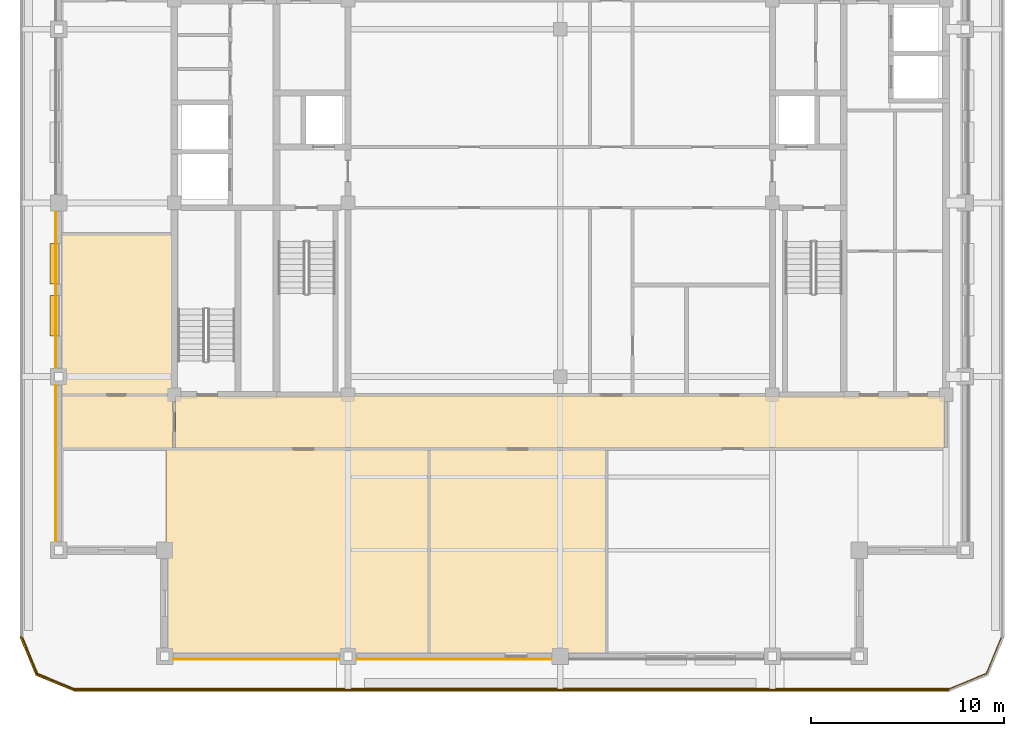
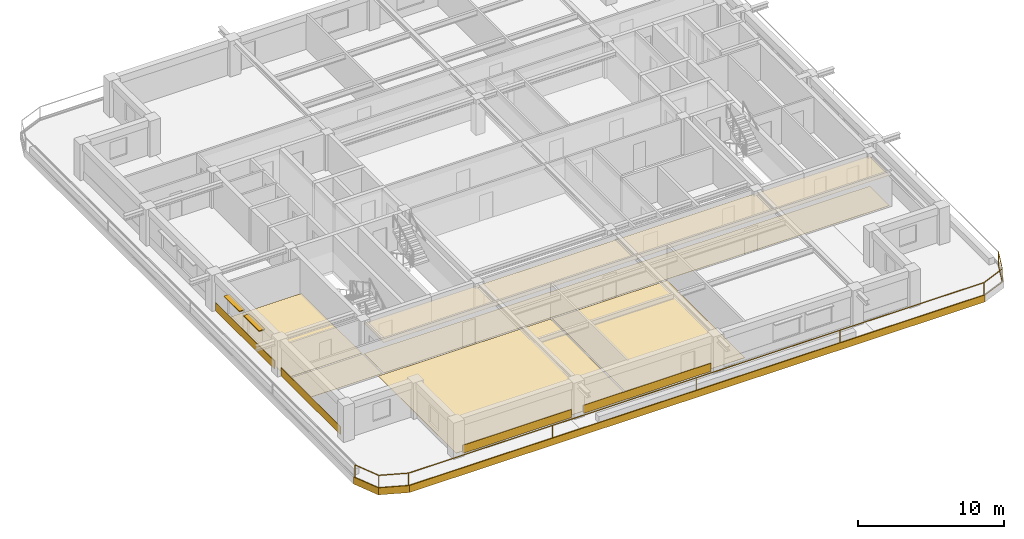
# One storey, part 7 of 11: 13 coverings, 2 shading devices, 1 railing.
"""IFC4 building model written with IfcOpenShell, lengths in metres."""

from ifc_helpers import new_model, si_unit, direction, frame, frame_2d, origin, origin_2d, place, context, subcontext, project, spatial, polyline, rectangle, outline, extrude, material, layer, layer_set, type_object, element, save


model = new_model("IFC4")

# Units and contexts
model_context = context("Model", 3, precision=1e-05, world=origin(), true_north=direction((0.0, 1.0)))
body_context = subcontext(model_context, "Body", "Model", "MODEL_VIEW")
ifc_project = project(units=[si_unit("LENGTHUNIT", "METRE"), si_unit("AREAUNIT", "SQUARE_METRE"), si_unit("VOLUMEUNIT", "CUBIC_METRE"), si_unit("PLANEANGLEUNIT", "RADIAN"), si_unit("MASSUNIT", "GRAM", prefix="KILO")], contexts=[model_context])

# Site, building, storey
site_placement = place(None, origin())
site = spatial("IfcSite", under=ifc_project, at=site_placement, CompositionType="ELEMENT")
building_placement = place(site_placement, origin())
building = spatial("IfcBuilding", under=site, at=building_placement, Name="Zulmaris Gate Convention Tower", CompositionType="ELEMENT")
storey_placement = place(building_placement, frame((0.0, 0.0, 257.659912109375)))
storey = spatial("IfcBuildingStorey", under=building, at=storey_placement, Name="L68", CompositionType="ELEMENT", Elevation=257.659912109375)

# Coverings
ifc_material_1 = material(Name="Precast concrete C40/50", Category="concrete")
ifc_layer_1 = layer(ifc_material_1, 0.0400390625, Name="Precast concrete C40/50")
ifc_layer_set_1 = layer_set([ifc_layer_1], Name="Precast concrete C40/50")
covering_type_1 = type_object("IfcCoveringType", Name="CLAD-SPANDREL-PRECAST", PredefinedType="CLADDING", material=ifc_layer_set_1)
covering_1_placement = place(storey_placement, frame((-20.044921875, -23.64990234375, 0.0), z_axis=(0.0, 0.0, 1.0), x_axis=(1.0, 0.0, 0.0)))
element("IfcCovering", 1, at=covering_1_placement, inside=storey, type_object=covering_type_1, Name="CLD-L68-S-0_0", PredefinedType="CLADDING", context=body_context, shape_type="SweptSolid", body=[
    extrude(rectangle(XDim=8.58984375, YDim=0.0400390625, at=frame_2d((4.294921875, 0.0))), origin(), (0.0, 0.0, 1.0), 0.679931640625),
])
covering_2_placement = place(storey_placement, frame((-10.544921875, -23.64990234375, 0.0), z_axis=(0.0, 0.0, 1.0), x_axis=(1.0, 0.0, 0.0)))
element("IfcCovering", 2, at=covering_2_placement, inside=storey, type_object=covering_type_1, Name="CLD-L68-S-1_0", PredefinedType="CLADDING", context=body_context, shape_type="SweptSolid", body=[
    extrude(rectangle(XDim=10.08984375, YDim=0.0400390625, at=frame_2d((5.044921875, 0.0))), origin(), (0.0, 0.0, 1.0), 0.679931640625),
])
for number, where, z_axis, x_axis, name in (
    (3, (-26.14990234375, -9.455078125, 0.0), (0.0, 0.0, 1.0), (0.0, -1.0, 0.0), "CLD-L68-W-0_0"),
    (4, (-26.14990234375, -0.455078125, 0.0), (0.0, 0.0, 1.0), (0.0, -1.0, 0.0), "CLD-L68-W-1_0"),
):
    element("IfcCovering", number, at=place(storey_placement, frame(where, z_axis=z_axis, x_axis=x_axis)), inside=storey, type_object=covering_type_1, Name=name, PredefinedType="CLADDING", context=body_context, shape_type="SweptSolid", body=[
        extrude(rectangle(XDim=8.08984375, YDim=0.0400390625, at=frame_2d((4.044921875, 0.0))), origin(), (0.0, 0.0, 1.0), 0.679931640625),
    ])
ifc_material_2 = material(Name="White Glazed Architectural Precast Concrete C40/50", Category="concrete")
ifc_layer_2 = layer(ifc_material_2, 0.080078125, Name="White Glazed Architectural Precast Concrete C40/50")
ifc_layer_set_2 = layer_set([ifc_layer_2], Name="White Glazed Architectural Precast Concrete C40/50")
covering_type_2 = type_object("IfcCoveringType", Name="CLAD-TRAY-FASCIA", PredefinedType="CLADDING", material=ifc_layer_set_2)
covering_3_placement = place(storey_placement, frame((-27.962890625, -22.484619140625, -0.465087890625), z_axis=(0.0, 0.0, 1.0), x_axis=(0.382656984709, -0.923890487046, 0.0)))
element("IfcCovering", 5, at=covering_3_placement, inside=storey, type_object=covering_type_2, Name="FSC-L68-TR-00", PredefinedType="CLADDING", context=body_context, shape_type="SweptSolid", body=[
    extrude(rectangle(XDim=2.14306640625, YDim=0.080078125, at=frame_2d((1.071533203125, 0.0))), origin(), (0.0, 0.0, 1.0), 0.5849609375),
])
covering_4_placement = place(storey_placement, frame((-27.16455078125, -24.44287109375, -0.465087890625), z_axis=(0.0, 0.0, 1.0), x_axis=(0.923873803533, -0.382697263049, 0.0)))
element("IfcCovering", 6, at=covering_4_placement, inside=storey, type_object=covering_type_2, Name="FSC-L68-TR-01", PredefinedType="CLADDING", context=body_context, shape_type="SweptSolid", body=[
    extrude(rectangle(XDim=2.142822265625, YDim=0.080078125, at=frame_2d((1.0712890625, 0.0))), origin(), (0.0, 0.0, 1.0), 0.5849609375),
])
covering_5_placement = place(storey_placement, frame((-25.199951171875, -25.260009765625, -0.465087890625), z_axis=(0.0, 0.0, 1.0), x_axis=(1.0, 0.0, 0.0)))
element("IfcCovering", 7, at=covering_5_placement, inside=storey, type_object=covering_type_2, Name="FSC-L68-TR-02", PredefinedType="CLADDING", context=body_context, shape_type="SweptSolid", body=[
    extrude(rectangle(XDim=45.39990234375, YDim=0.080078125, at=frame_2d((22.699951171875, 0.0))), origin(), (0.0, 0.0, 1.0), 0.5849609375),
])
ifc_material_3 = material(Name="Mineral Fibre Acoustic Ceiling Tile")
ifc_layer_3 = layer(ifc_material_3, 0.02001953125, Name="Mineral Fibre Acoustic Ceiling Tile")
ifc_layer_set_3 = layer_set([ifc_layer_3], Name="Mineral Fibre Acoustic Ceiling Tile")
covering_type_3 = type_object("IfcCoveringType", Name="CLG-ACOUSTIC-600", PredefinedType="CEILING", material=ifc_layer_set_3)
covering_6_placement = place(storey_placement, frame((0.0, 0.0, 2.5380859375)))
element("IfcCovering", 8, at=covering_6_placement, inside=storey, type_object=covering_type_3, Name="CLG-L68-R32", PredefinedType="CEILING", context=body_context, shape_type="SweptSolid", body=[
    extrude(outline(polyline([(-19.93994140625, -12.68994140625), (19.93994140625, -12.68994140625), (19.93994140625, -10.010009765625), (-19.93994140625, -10.010009765625), (-19.93994140625, -12.68994140625)])), origin(), (0.0, 0.0, 1.0), 0.02001953125),
])
ifc_material_4 = material(Name="Woven Acoustic Wool Carpet Tile")
ifc_layer_4 = layer(ifc_material_4, 0.02001953125, Name="Woven Acoustic Wool Carpet Tile")
ifc_layer_set_4 = layer_set([ifc_layer_4], Name="Woven Acoustic Wool Carpet Tile")
covering_type_4 = type_object("IfcCoveringType", Name="FLR-CARPET-12", PredefinedType="FLOORING", material=ifc_layer_set_4)
covering_7_placement = place(storey_placement, origin())
element("IfcCovering", 9, at=covering_7_placement, inside=storey, type_object=covering_type_4, Name="FLR-L68-R32", PredefinedType="FLOORING", context=body_context, shape_type="SweptSolid", body=[
    extrude(outline(polyline([(-19.93994140625, -12.68994140625), (19.93994140625, -12.68994140625), (19.93994140625, -10.010009765625), (-19.93994140625, -10.010009765625), (-19.93994140625, -12.68994140625)])), origin(), (0.0, 0.0, 1.0), 0.02001953125),
])
covering_8_placement = place(storey_placement, origin())
element("IfcCovering", 10, at=covering_8_placement, inside=storey, type_object=covering_type_4, Name="FLR-L68-R40", PredefinedType="FLOORING", context=body_context, shape_type="SweptSolid", body=[
    extrude(outline(polyline([(-6.739990234375, -23.43994140625), (2.340087890625, -23.43994140625), (2.340087890625, -12.81005859375), (-6.739990234375, -12.81005859375), (-6.739990234375, -23.43994140625)])), origin(), (0.0, 0.0, 1.0), 0.02001953125),
])
covering_9_placement = place(storey_placement, origin())
element("IfcCovering", 11, at=covering_9_placement, inside=storey, type_object=covering_type_4, Name="FLR-L68-R49", PredefinedType="FLOORING", context=body_context, shape_type="SweptSolid", body=[
    extrude(outline(polyline([(-25.93994140625, -12.68994140625), (-20.06005859375, -12.68994140625), (-20.06005859375, -10.010009765625), (-25.93994140625, -10.010009765625), (-25.93994140625, -12.68994140625)])), origin(), (0.0, 0.0, 1.0), 0.02001953125),
])
covering_10_placement = place(storey_placement, origin())
element("IfcCovering", 12, at=covering_10_placement, inside=storey, type_object=covering_type_4, Name="FLR-L68-R51", PredefinedType="FLOORING", context=body_context, shape_type="SweptSolid", body=[
    extrude(outline(polyline([(-25.93994140625, -9.889892578125), (-20.06005859375, -9.889892578125), (-20.06005859375, -1.659912109375), (-25.93994140625, -1.659912109375), (-25.93994140625, -9.889892578125)])), origin(), (0.0, 0.0, 1.0), 0.02001953125),
])
ifc_material_5 = material(Name="Engineered Teak Parquet Flooring")
ifc_layer_5 = layer(ifc_material_5, 0.02001953125, Name="Engineered Teak Parquet Flooring")
ifc_layer_set_5 = layer_set([ifc_layer_5], Name="Engineered Teak Parquet Flooring")
covering_type_5 = type_object("IfcCoveringType", Name="FLR-TIMBER-18", PredefinedType="FLOORING", material=ifc_layer_set_5)
covering_11_placement = place(storey_placement, origin())
element("IfcCovering", 13, at=covering_11_placement, inside=storey, type_object=covering_type_5, Name="FLR-L68-R39", PredefinedType="FLOORING", context=body_context, shape_type="SweptSolid", body=[
    extrude(outline(polyline([(-20.43994140625, -23.43994140625), (-6.860107421875, -23.43994140625), (-6.860107421875, -12.81005859375), (-20.43994140625, -12.81005859375), (-20.43994140625, -23.43994140625)])), origin(), (0.0, 0.0, 1.0), 0.02001953125),
])

# Railing
ifc_material_6 = material(Name="Laminated Glass and Stainless Steel", Category="steel")
railing_type = type_object("IfcRailingType", Name="RL-BALC-1150", PredefinedType="BALUSTRADE", material=ifc_material_6)
railing_placement = place(storey_placement, frame((-27.8798828125, -22.5, -0.0400390625)))
element("IfcRailing", 14, at=railing_placement, inside=storey, type_object=railing_type, Name="RL-L68-BALC-S", PredefinedType="BALUSTRADE", context=body_context, shape_type="SweptSolid", body=[
    extrude(rectangle(XDim=0.048095703125, YDim=0.048095703125, at=origin_2d()), frame((0.0, 0.0, 1.1259765625), z_axis=(0.382670664694, -0.92388482095, 0.0), x_axis=(0.92388482095, 0.382670664694, 0.0)), (0.0, 0.0, 1.0), 2.051025390625),
    extrude(rectangle(XDim=0.048095703125, YDim=0.048095703125, at=origin_2d()), frame((0.0, 0.0, 0.02392578125), z_axis=(0.382670664694, -0.92388482095, 0.0), x_axis=(0.92388482095, 0.382670664694, 0.0)), (0.0, 0.0, 1.0), 2.051025390625),
    extrude(rectangle(XDim=0.048095703125, YDim=0.048095703125, at=origin_2d()), frame((0.784912109375, -1.89501953125, 1.1259765625), z_axis=(0.92388482095, -0.382670664694, 0.0), x_axis=(0.382670664694, 0.92388482095, 0.0)), (0.0, 0.0, 1.0), 2.051025390625),
    extrude(rectangle(XDim=0.048095703125, YDim=0.048095703125, at=origin_2d()), frame((0.784912109375, -1.89501953125, 0.02392578125), z_axis=(0.92388482095, -0.382670664694, 0.0), x_axis=(0.382670664694, 0.92388482095, 0.0)), (0.0, 0.0, 1.0), 2.051025390625),
    extrude(rectangle(XDim=0.048095703125, YDim=0.048095703125, at=origin_2d()), frame((2.679931640625, -2.679931640625, 1.1259765625), z_axis=(1.0, 0.0, 0.0), x_axis=(0.0, 1.0, 0.0)), (0.0, 0.0, 1.0), 45.39990234375),
    extrude(rectangle(XDim=0.048095703125, YDim=0.048095703125, at=origin_2d()), frame((2.679931640625, -2.679931640625, 0.02392578125), z_axis=(1.0, 0.0, 0.0), x_axis=(0.0, 1.0, 0.0)), (0.0, 0.0, 1.0), 45.39990234375),
    extrude(rectangle(XDim=0.048095703125, YDim=0.048095703125, at=origin_2d()), frame((48.079833984375, -2.679931640625, 1.1259765625), z_axis=(0.92388482095, 0.382670664694, 0.0), x_axis=(-0.382670664694, 0.92388482095, 0.0)), (0.0, 0.0, 1.0), 2.051025390625),
    extrude(rectangle(XDim=0.048095703125, YDim=0.048095703125, at=origin_2d()), frame((48.079833984375, -2.679931640625, 0.02392578125), z_axis=(0.92388482095, 0.382670664694, 0.0), x_axis=(-0.382670664694, 0.92388482095, 0.0)), (0.0, 0.0, 1.0), 2.051025390625),
    extrude(rectangle(XDim=0.048095703125, YDim=0.048095703125, at=origin_2d()), frame((49.974853515625, -1.89501953125, 1.1259765625), z_axis=(0.382670664694, 0.92388482095, 0.0), x_axis=(-0.92388482095, 0.382670664694, 0.0)), (0.0, 0.0, 1.0), 2.051025390625),
    extrude(rectangle(XDim=0.048095703125, YDim=0.048095703125, at=origin_2d()), frame((49.974853515625, -1.89501953125, 0.02392578125), z_axis=(0.382670664694, 0.92388482095, 0.0), x_axis=(-0.92388482095, 0.382670664694, 0.0)), (0.0, 0.0, 1.0), 2.051025390625),
    extrude(rectangle(XDim=0.0419921875, YDim=0.0419921875, at=origin_2d()), origin(), (0.0, 0.0, 1.0), 1.101806640625),
    extrude(rectangle(XDim=0.0419921875, YDim=0.0419921875, at=origin_2d()), frame((0.784912109375, -1.89501953125, 0.0)), (0.0, 0.0, 1.0), 1.101806640625),
    extrude(rectangle(XDim=0.0419921875, YDim=0.0419921875, at=origin_2d()), frame((2.679931640625, -2.679931640625, 0.0)), (0.0, 0.0, 1.0), 1.101806640625),
    extrude(rectangle(XDim=0.0419921875, YDim=0.0419921875, at=origin_2d()), frame((14.02978515625, -2.679931640625, 0.0)), (0.0, 0.0, 1.0), 1.101806640625),
    extrude(rectangle(XDim=0.0419921875, YDim=0.0419921875, at=origin_2d()), frame((25.3798828125, -2.679931640625, 0.0)), (0.0, 0.0, 1.0), 1.101806640625),
    extrude(rectangle(XDim=0.0419921875, YDim=0.0419921875, at=origin_2d()), frame((36.72998046875, -2.679931640625, 0.0)), (0.0, 0.0, 1.0), 1.101806640625),
    extrude(rectangle(XDim=0.0419921875, YDim=0.0419921875, at=origin_2d()), frame((48.079833984375, -2.679931640625, 0.0)), (0.0, 0.0, 1.0), 1.101806640625),
    extrude(rectangle(XDim=0.0419921875, YDim=0.0419921875, at=origin_2d()), frame((49.974853515625, -1.89501953125, 0.0)), (0.0, 0.0, 1.0), 1.101806640625),
    extrude(rectangle(XDim=0.0419921875, YDim=0.0419921875, at=origin_2d()), frame((50.759765625, 0.0, 0.0)), (0.0, 0.0, 1.0), 1.101806640625),
])

# Shading devices
ifc_material_7 = material(Name="Glazed Ceramic Terracotta", Category="masonry")
ifc_layer_6 = layer(ifc_material_7, 0.070068359375, Name="Glazed Ceramic Terracotta")
ifc_layer_set_6 = layer_set([ifc_layer_6], Name="Glazed Ceramic Terracotta")
shading_device_type = type_object("IfcShadingDeviceType", Name="SHD-SUNSHADE-TC", PredefinedType="AWNING", material=ifc_layer_set_6)
for number, where, z_axis, x_axis, name in (
    (15, (-26.219970703125, -2.10205078125, 2.22998046875), (0.0, 0.0, 1.0), (0.0, -1.0, 0.0), "SHD-EW-L68-W-1_0-1"),
    (16, (-26.219970703125, -4.798095703125, 2.22998046875), (0.0, 0.0, 1.0), (0.0, -1.0, 0.0), "SHD-EW-L68-W-1_0-2"),
):
    element("IfcShadingDevice", number, at=place(storey_placement, frame(where, z_axis=z_axis, x_axis=x_axis)), inside=storey, type_object=shading_device_type, Name=name, PredefinedType="AWNING", context=body_context, shape_type="SweptSolid", body=[
        extrude(rectangle(XDim=2.099853515625, YDim=0.43994140625, at=frame_2d((1.0498046875, 0.0))), origin(), (0.0, 0.0, 1.0), 0.070068359375),
    ])

save(model, "model.ifc")
